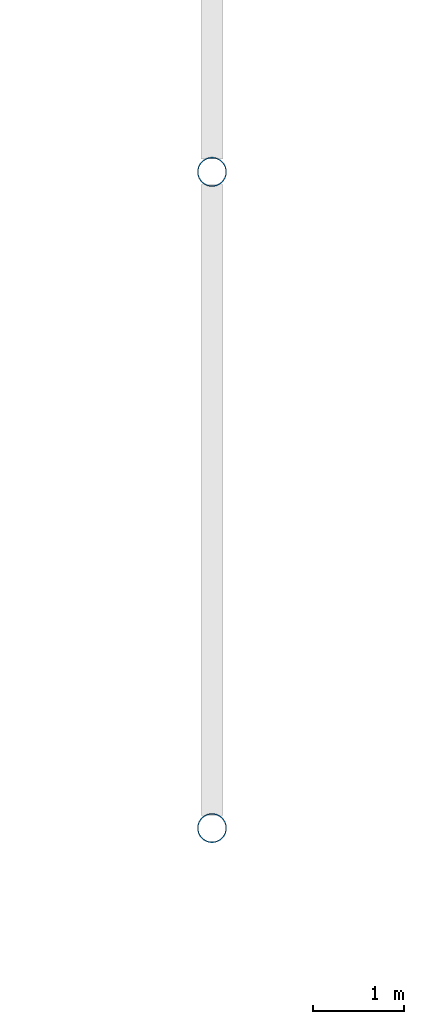
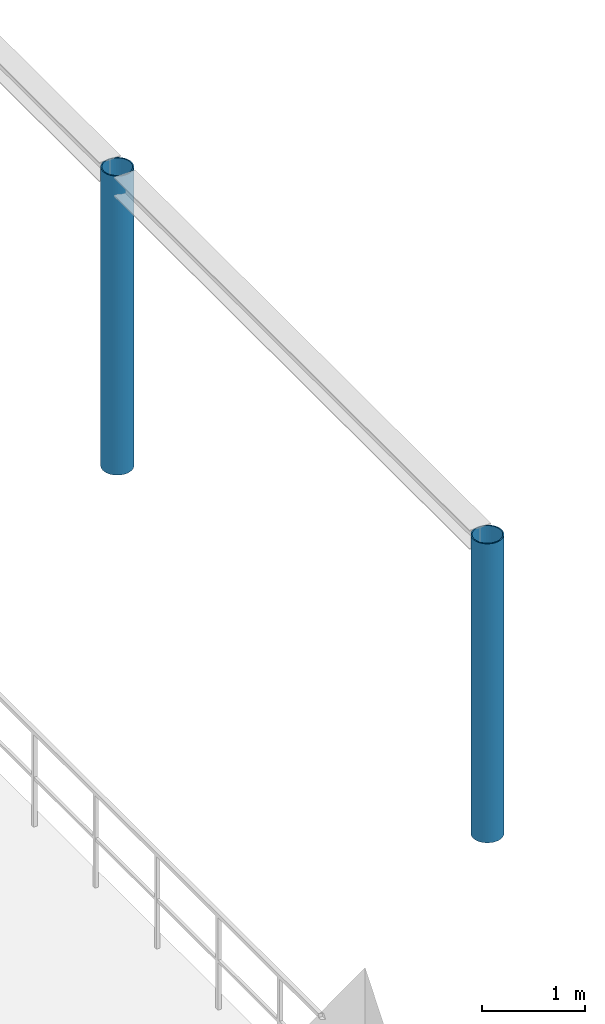
# One storey, part 2 of 139: 2 columns.
"""IFC4 building model written with IfcOpenShell, lengths in metres."""

from ifc_helpers import new_model, si_unit, direction, frame, origin, origin_2d, place, context, subcontext, project, spatial, hollow_circle, extrude, material, material_profile, profile_set, type_object, element, save


model = new_model("IFC4")

# Units and contexts
model_context = context("Model", 3, precision=1e-05, world=origin(), true_north=direction((0.0, 1.0)))
body_context = subcontext(model_context, "Body", "Model", "MODEL_VIEW")
ifc_project = project(units=[si_unit("LENGTHUNIT", "METRE"), si_unit("AREAUNIT", "SQUARE_METRE"), si_unit("VOLUMEUNIT", "CUBIC_METRE"), si_unit("PLANEANGLEUNIT", "RADIAN"), si_unit("MASSUNIT", "GRAM", prefix="KILO")], contexts=[model_context])

# Site, building, storey
site_placement = place(None, origin())
site = spatial("IfcSite", under=ifc_project, at=site_placement, CompositionType="ELEMENT")
building_placement = place(site_placement, origin())
building = spatial("IfcBuilding", under=site, at=building_placement, Name="Suanplinth Sawtooth Commons", CompositionType="ELEMENT")
storey_placement = place(building_placement, origin())
storey = spatial("IfcBuildingStorey", under=building, at=storey_placement, Name="L00", CompositionType="ELEMENT", Elevation=0.0)

# Columns
ifc_material = material(Name="Steel S355JR", Category="steel")
ifc_material_profile = material_profile(ifc_material, hollow_circle(Radius=0.161865234375, WallThickness=0.012451171875, at=origin_2d()), Name="CHS 323.9x12.5")
ifc_profile_set = profile_set([ifc_material_profile], Name="Steel S355JR")
column_type = type_object("IfcColumnType", Name="C-12", PredefinedType="COLUMN", material=ifc_profile_set)
for number, where, z_axis, x_axis, name in (
    (1, (61.199951171875, 18.0, 0.0), (0.0, 0.0, 1.0), (1.0, 0.0, 0.0), "West Breezeway Canopy Column W1"),
    (2, (61.199951171875, 25.199951171875, 0.0), (0.0, 0.0, 1.0), (1.0, 0.0, 0.0), "West Breezeway Canopy Column W2"),
):
    element("IfcColumn", number, at=place(storey_placement, frame(where, z_axis=z_axis, x_axis=x_axis)), inside=storey, type_object=column_type, Name=name, PredefinedType="COLUMN", context=body_context, shape_type="SweptSolid", body=[
        extrude(hollow_circle(Radius=0.161865234375, WallThickness=0.012451171875, at=origin_2d()), origin(), (0.0, 0.0, 1.0), 3.550048828125),
    ])

save(model, "model.ifc")
